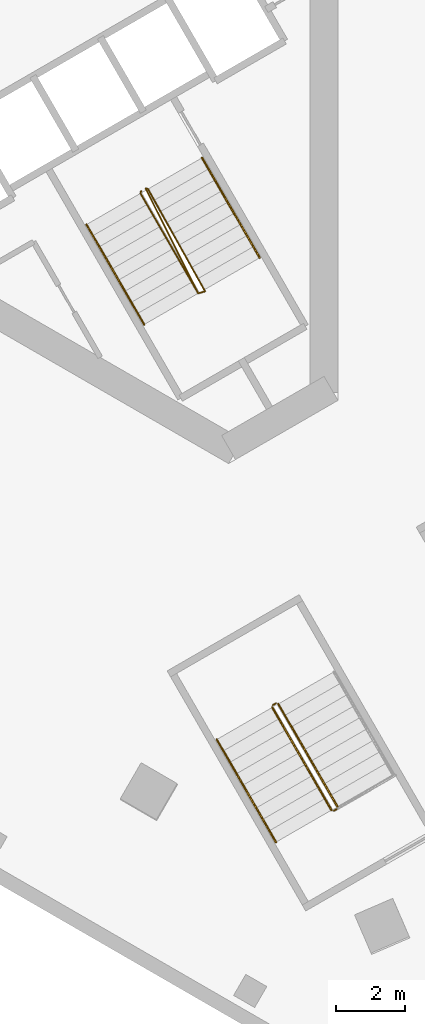
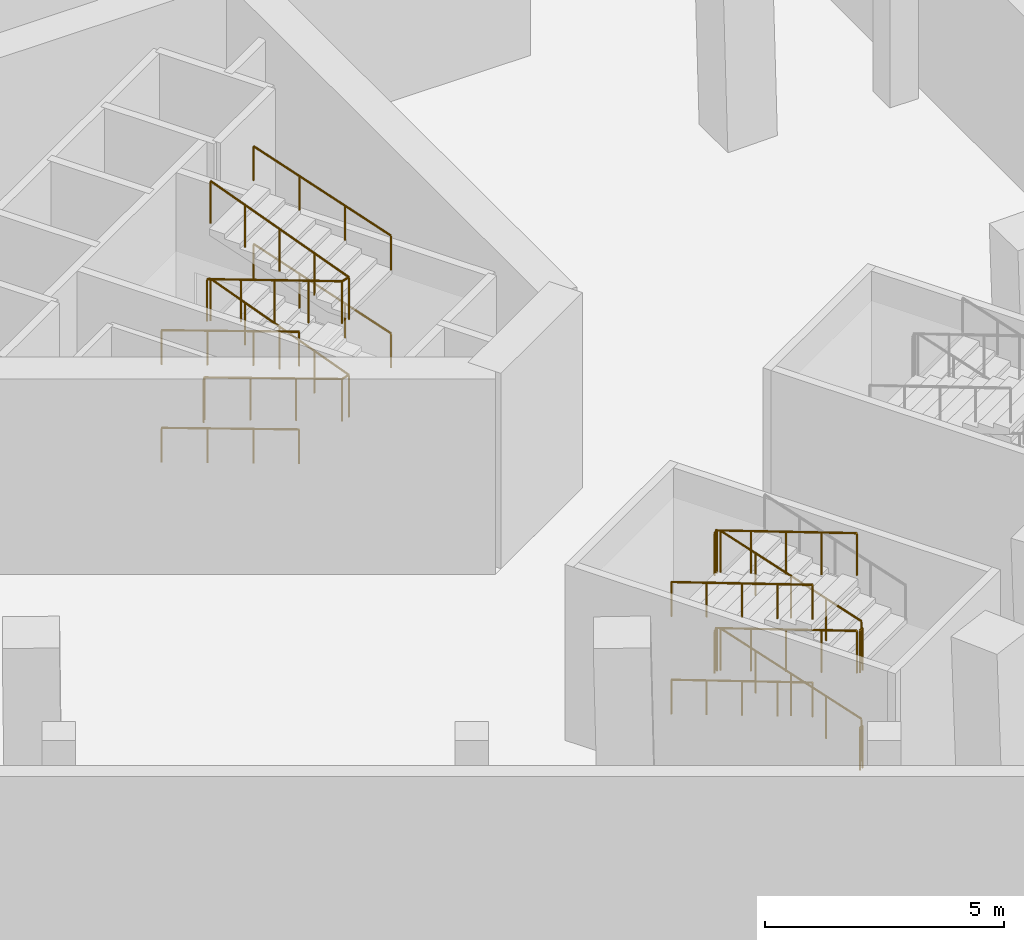
# One storey, part 22 of 36: 15 railings.
"""IFC4 building model written with IfcOpenShell, lengths in metres."""

from ifc_helpers import new_model, si_unit, direction, frame, origin, origin_2d, place, context, subcontext, project, spatial, circle, extrude, material, type_object, element, save


model = new_model("IFC4")

# Units and contexts
model_context = context("Model", 3, precision=1e-05, world=origin(), true_north=direction((0.0, 1.0)))
body_context = subcontext(model_context, "Body", "Model", "MODEL_VIEW")
ifc_project = project(units=[si_unit("LENGTHUNIT", "METRE"), si_unit("AREAUNIT", "SQUARE_METRE"), si_unit("VOLUMEUNIT", "CUBIC_METRE"), si_unit("PLANEANGLEUNIT", "RADIAN"), si_unit("MASSUNIT", "GRAM", prefix="KILO")], contexts=[model_context])

# Site, building, storey
site_placement = place(None, origin())
site = spatial("IfcSite", under=ifc_project, at=site_placement, CompositionType="ELEMENT")
building_placement = place(site_placement, origin())
building = spatial("IfcBuilding", under=site, at=building_placement, Name="Jabali Bay Hotel Tower and Convention Centre", CompositionType="ELEMENT")
storey_placement = place(building_placement, frame((0.0, 0.0, 20.39990234375)))
storey = spatial("IfcBuildingStorey", under=building, at=storey_placement, Name="L03", CompositionType="ELEMENT", Elevation=20.39990234375)

# Railings
ifc_material = material(Name="Steel Q355B", Category="steel")
railing_type_1 = type_object("IfcRailingType", Name="Stair guard 1100", PredefinedType="GUARDRAIL", material=ifc_material)
railing_1_placement = place(storey_placement, frame((84.199951171875, 63.9150390625, 0.0)))
element("IfcRailing", 1, at=railing_1_placement, inside=storey, type_object=railing_type_1, Name="L03 ST3 stair guard 1", PredefinedType="GUARDRAIL", context=body_context, shape_type="SweptSolid", body=[
    extrude(circle(Radius=0.02392578125, at=origin_2d()), frame((0.0, 0.0, 1.076171875), z_axis=(-0.127472697635, -0.475898071169, 0.870213615852), x_axis=(0.965948051503, -0.258736085224, 0.0)), (0.0, 0.0, 1.0), 0.1435546875),
    extrude(circle(Radius=0.02392578125, at=origin_2d()), frame((-0.018310546875, -0.068359375, 1.201171875), z_axis=(0.473714601276, -0.820457019102, 0.320069924147), x_axis=(0.866014653411, 0.500018619731, 0.0)), (0.0, 0.0, 1.0), 3.514892578125),
    extrude(circle(Radius=0.02392578125, at=origin_2d()), frame((1.646728515625, -2.9521484375, 2.326171875), z_axis=(0.961523947641, 0.274721127897, 0.0), x_axis=(-0.274721127897, 0.961523947641, 0.0)), (0.0, 0.0, 1.0), 0.2060546875),
    extrude(circle(Radius=0.02392578125, at=origin_2d()), frame((1.844970703125, -2.8955078125, 2.326171875), z_axis=(-0.456906715079, 0.819112824127, 0.346829115079), x_axis=(-0.873321331712, -0.48714459001, 0.0)), (0.0, 0.0, 1.0), 3.60400390625),
    extrude(circle(Radius=0.02392578125, at=origin_2d()), frame((0.1982421875, 0.056640625, 3.576171875), z_axis=(-0.965948051503, 0.258736085224, 0.0), x_axis=(-0.258736085224, -0.965948051503, 0.0)), (0.0, 0.0, 1.0), 0.07080078125),
    extrude(circle(Radius=0.02392578125, at=origin_2d()), frame((0.1298828125, 0.074951171875, 3.576171875), z_axis=(0.420266704409, -0.838707044579, 0.346332774276), x_axis=(0.894037481687, 0.447992166604, 0.0)), (0.0, 0.0, 1.0), 3.609130859375),
    extrude(circle(Radius=0.02392578125, at=origin_2d()), frame((1.646728515625, -2.9521484375, 4.826171875), z_axis=(0.961523947641, 0.274721127897, 0.0), x_axis=(-0.274721127897, 0.961523947641, 0.0)), (0.0, 0.0, 1.0), 0.2060546875),
    extrude(circle(Radius=0.02392578125, at=origin_2d()), frame((1.844970703125, -2.8955078125, 4.826171875), z_axis=(-0.456906715079, 0.819112824127, 0.346829115079), x_axis=(-0.873321331712, -0.48714459001, 0.0)), (0.0, 0.0, 1.0), 3.60400390625),
    extrude(circle(Radius=0.02099609375, at=origin_2d()), origin(), (0.0, 0.0, 1.0), 1.052001953125),
    extrude(circle(Radius=0.02099609375, at=origin_2d()), frame((-0.018310546875, -0.068359375, 0.125)), (0.0, 0.0, 1.0), 1.052001953125),
    extrude(circle(Radius=0.02099609375, at=origin_2d()), frame((0.53662109375, -1.029541015625, 0.5)), (0.0, 0.0, 1.0), 1.052001953125),
    extrude(circle(Radius=0.02099609375, at=origin_2d()), frame((1.091796875, -1.990966796875, 0.875)), (0.0, 0.0, 1.0), 1.052001953125),
    extrude(circle(Radius=0.02099609375, at=origin_2d()), frame((1.646728515625, -2.9521484375, 1.25)), (0.0, 0.0, 1.0), 1.052001953125),
    extrude(circle(Radius=0.02099609375, at=origin_2d()), frame((1.844970703125, -2.8955078125, 1.25)), (0.0, 0.0, 1.0), 1.052001953125),
    extrude(circle(Radius=0.02099609375, at=origin_2d()), frame((1.433349609375, -2.157470703125, 1.5625)), (0.0, 0.0, 1.0), 1.052001953125),
    extrude(circle(Radius=0.02099609375, at=origin_2d()), frame((1.021484375, -1.41943359375, 1.875)), (0.0, 0.0, 1.0), 1.052001953125),
    extrude(circle(Radius=0.02099609375, at=origin_2d()), frame((0.60986328125, -0.681396484375, 2.1875)), (0.0, 0.0, 1.0), 1.052001953125),
    extrude(circle(Radius=0.02099609375, at=origin_2d()), frame((0.1982421875, 0.056640625, 2.5)), (0.0, 0.0, 1.0), 1.052001953125),
    extrude(circle(Radius=0.02099609375, at=origin_2d()), frame((0.1298828125, 0.074951171875, 2.5)), (0.0, 0.0, 1.0), 1.052001953125),
    extrude(circle(Radius=0.02099609375, at=origin_2d()), frame((0.509033203125, -0.681884765625, 2.8125)), (0.0, 0.0, 1.0), 1.052001953125),
    extrude(circle(Radius=0.02099609375, at=origin_2d()), frame((0.88818359375, -1.4384765625, 3.125)), (0.0, 0.0, 1.0), 1.052001953125),
    extrude(circle(Radius=0.02099609375, at=origin_2d()), frame((1.267578125, -2.1953125, 3.4375)), (0.0, 0.0, 1.0), 1.052001953125),
    extrude(circle(Radius=0.02099609375, at=origin_2d()), frame((1.646728515625, -2.9521484375, 3.75)), (0.0, 0.0, 1.0), 1.052001953125),
    extrude(circle(Radius=0.02099609375, at=origin_2d()), frame((1.844970703125, -2.8955078125, 3.75)), (0.0, 0.0, 1.0), 1.052001953125),
    extrude(circle(Radius=0.02099609375, at=origin_2d()), frame((1.433349609375, -2.157470703125, 4.0625)), (0.0, 0.0, 1.0), 1.052001953125),
    extrude(circle(Radius=0.02099609375, at=origin_2d()), frame((1.021484375, -1.41943359375, 4.375)), (0.0, 0.0, 1.0), 1.052001953125),
    extrude(circle(Radius=0.02099609375, at=origin_2d()), frame((0.60986328125, -0.681396484375, 4.6875)), (0.0, 0.0, 1.0), 1.052001953125),
    extrude(circle(Radius=0.02099609375, at=origin_2d()), frame((0.1982421875, 0.056640625, 5.0)), (0.0, 0.0, 1.0), 1.052001953125),
])
railing_2_placement = place(storey_placement, frame((89.86767578125, 46.148681640625, 0.125)))
element("IfcRailing", 2, at=railing_2_placement, inside=storey, type_object=railing_type_1, Name="L03 PS6 stair guard 1", PredefinedType="GUARDRAIL", context=body_context, shape_type="SweptSolid", body=[
    extrude(circle(Radius=0.02392578125, at=origin_2d()), frame((0.0, 0.0, 1.076171875), z_axis=(-0.474969356874, 0.822651808715, 0.312486978366), x_axis=(-0.866020337685, -0.500008774639, 0.0)), (0.0, 0.0, 1.0), 3.60009765625),
    extrude(circle(Radius=0.02099609375, at=origin_2d()), origin(), (0.0, 0.0, 1.0), 1.052001953125),
    extrude(circle(Radius=0.02099609375, at=origin_2d()), frame((-0.427490234375, 0.740478515625, 0.28125)), (0.0, 0.0, 1.0), 1.052001953125),
    extrude(circle(Radius=0.02099609375, at=origin_2d()), frame((-0.85498046875, 1.48095703125, 0.5625)), (0.0, 0.0, 1.0), 1.052001953125),
    extrude(circle(Radius=0.02099609375, at=origin_2d()), frame((-1.282470703125, 2.22119140625, 0.84375)), (0.0, 0.0, 1.0), 1.052001953125),
    extrude(circle(Radius=0.02099609375, at=origin_2d()), frame((-1.7099609375, 2.961669921875, 1.125)), (0.0, 0.0, 1.0), 1.052001953125),
])
railing_3_placement = place(storey_placement, frame((88.08935546875, 49.128662109375, 1.25)))
element("IfcRailing", 3, at=railing_3_placement, inside=storey, type_object=railing_type_1, Name="L03 PS6 stair guard 2", PredefinedType="GUARDRAIL", context=body_context, shape_type="SweptSolid", body=[
    extrude(circle(Radius=0.02392578125, at=origin_2d()), frame((0.0, 0.0, 1.076171875), z_axis=(-0.865982457891, -0.500074377092, 0.0), x_axis=(0.500074377092, -0.865982457891, 0.0)), (0.0, 0.0, 1.0), 0.10009765625),
    extrude(circle(Radius=0.02099609375, at=origin_2d()), origin(), (0.0, 0.0, 1.0), 1.052001953125),
    extrude(circle(Radius=0.02099609375, at=origin_2d()), frame((-0.086669921875, -0.050048828125, 0.0)), (0.0, 0.0, 1.0), 1.052001953125),
])
railing_4_placement = place(storey_placement, frame((87.984375, 49.01025390625, 1.375)))
element("IfcRailing", 4, at=railing_4_placement, inside=storey, type_object=railing_type_1, Name="L03 PS6 stair guard 3", PredefinedType="GUARDRAIL", context=body_context, shape_type="SweptSolid", body=[
    extrude(circle(Radius=0.02392578125, at=origin_2d()), frame((0.0, 0.0, 1.076171875), z_axis=(0.474969356874, -0.822651808715, 0.312486978366), x_axis=(0.866020337685, 0.500008774639, 0.0)), (0.0, 0.0, 1.0), 3.60009765625),
    extrude(circle(Radius=0.02099609375, at=origin_2d()), origin(), (0.0, 0.0, 1.0), 1.052001953125),
    extrude(circle(Radius=0.02099609375, at=origin_2d()), frame((0.427490234375, -0.740478515625, 0.28125)), (0.0, 0.0, 1.0), 1.052001953125),
    extrude(circle(Radius=0.02099609375, at=origin_2d()), frame((0.85498046875, -1.48095703125, 0.5625)), (0.0, 0.0, 1.0), 1.052001953125),
    extrude(circle(Radius=0.02099609375, at=origin_2d()), frame((1.282470703125, -2.22119140625, 0.84375)), (0.0, 0.0, 1.0), 1.052001953125),
    extrude(circle(Radius=0.02099609375, at=origin_2d()), frame((1.7099609375, -2.961669921875, 1.125)), (0.0, 0.0, 1.0), 1.052001953125),
])
railing_5_placement = place(storey_placement, frame((89.849365234375, 46.080322265625, 2.5)))
element("IfcRailing", 5, at=railing_5_placement, inside=storey, type_object=railing_type_1, Name="L03 PS6 stair guard 4", PredefinedType="GUARDRAIL", context=body_context, shape_type="SweptSolid", body=[
    extrude(circle(Radius=0.02392578125, at=origin_2d()), frame((0.0, 0.0, 1.076171875), z_axis=(-0.865982457891, -0.500074377092, 0.0), x_axis=(0.500074377092, -0.865982457891, 0.0)), (0.0, 0.0, 1.0), 0.10009765625),
    extrude(circle(Radius=0.02099609375, at=origin_2d()), origin(), (0.0, 0.0, 1.0), 1.052001953125),
    extrude(circle(Radius=0.02099609375, at=origin_2d()), frame((-0.086669921875, -0.050048828125, 0.0)), (0.0, 0.0, 1.0), 1.052001953125),
])
railing_6_placement = place(storey_placement, frame((89.86767578125, 46.148681640625, 2.625)))
element("IfcRailing", 6, at=railing_6_placement, inside=storey, type_object=railing_type_1, Name="L03 PS6 stair guard 5", PredefinedType="GUARDRAIL", context=body_context, shape_type="SweptSolid", body=[
    extrude(circle(Radius=0.02392578125, at=origin_2d()), frame((0.0, 0.0, 1.076171875), z_axis=(-0.474969356874, 0.822651808715, 0.312486978366), x_axis=(-0.866020337685, -0.500008774639, 0.0)), (0.0, 0.0, 1.0), 3.60009765625),
    extrude(circle(Radius=0.02099609375, at=origin_2d()), origin(), (0.0, 0.0, 1.0), 1.052001953125),
    extrude(circle(Radius=0.02099609375, at=origin_2d()), frame((-0.427490234375, 0.740478515625, 0.28125)), (0.0, 0.0, 1.0), 1.052001953125),
    extrude(circle(Radius=0.02099609375, at=origin_2d()), frame((-0.85498046875, 1.48095703125, 0.5625)), (0.0, 0.0, 1.0), 1.052001953125),
    extrude(circle(Radius=0.02099609375, at=origin_2d()), frame((-1.282470703125, 2.22119140625, 0.84375)), (0.0, 0.0, 1.0), 1.052001953125),
    extrude(circle(Radius=0.02099609375, at=origin_2d()), frame((-1.7099609375, 2.961669921875, 1.125)), (0.0, 0.0, 1.0), 1.052001953125),
])
railing_7_placement = place(storey_placement, frame((88.08935546875, 49.128662109375, 3.75)))
element("IfcRailing", 7, at=railing_7_placement, inside=storey, type_object=railing_type_1, Name="L03 PS6 stair guard 6", PredefinedType="GUARDRAIL", context=body_context, shape_type="SweptSolid", body=[
    extrude(circle(Radius=0.02392578125, at=origin_2d()), frame((0.0, 0.0, 1.076171875), z_axis=(-0.865982457891, -0.500074377092, 0.0), x_axis=(0.500074377092, -0.865982457891, 0.0)), (0.0, 0.0, 1.0), 0.10009765625),
    extrude(circle(Radius=0.02099609375, at=origin_2d()), origin(), (0.0, 0.0, 1.0), 1.052001953125),
    extrude(circle(Radius=0.02099609375, at=origin_2d()), frame((-0.086669921875, -0.050048828125, 0.0)), (0.0, 0.0, 1.0), 1.052001953125),
])
railing_8_placement = place(storey_placement, frame((87.984375, 49.01025390625, 3.875)))
element("IfcRailing", 8, at=railing_8_placement, inside=storey, type_object=railing_type_1, Name="L03 PS6 stair guard 7", PredefinedType="GUARDRAIL", context=body_context, shape_type="SweptSolid", body=[
    extrude(circle(Radius=0.02392578125, at=origin_2d()), frame((0.0, 0.0, 1.076171875), z_axis=(0.474969356874, -0.822651808715, 0.312486978366), x_axis=(0.866020337685, 0.500008774639, 0.0)), (0.0, 0.0, 1.0), 3.60009765625),
    extrude(circle(Radius=0.02099609375, at=origin_2d()), origin(), (0.0, 0.0, 1.0), 1.052001953125),
    extrude(circle(Radius=0.02099609375, at=origin_2d()), frame((0.427490234375, -0.740478515625, 0.28125)), (0.0, 0.0, 1.0), 1.052001953125),
    extrude(circle(Radius=0.02099609375, at=origin_2d()), frame((0.85498046875, -1.48095703125, 0.5625)), (0.0, 0.0, 1.0), 1.052001953125),
    extrude(circle(Radius=0.02099609375, at=origin_2d()), frame((1.282470703125, -2.22119140625, 0.84375)), (0.0, 0.0, 1.0), 1.052001953125),
    extrude(circle(Radius=0.02099609375, at=origin_2d()), frame((1.7099609375, -2.961669921875, 1.125)), (0.0, 0.0, 1.0), 1.052001953125),
])
railing_9_placement = place(storey_placement, frame((89.849365234375, 46.080322265625, 0.0)))
element("IfcRailing", 9, at=railing_9_placement, inside=storey, type_object=railing_type_1, Name="L03 PS6 stair guard 8", PredefinedType="GUARDRAIL", context=body_context, shape_type="SweptSolid", body=[
    extrude(circle(Radius=0.02392578125, at=origin_2d()), frame((0.0, 0.0, 1.076171875), z_axis=(-0.865982457891, -0.500074377092, 0.0), x_axis=(0.500074377092, -0.865982457891, 0.0)), (0.0, 0.0, 1.0), 0.10009765625),
    extrude(circle(Radius=0.02099609375, at=origin_2d()), origin(), (0.0, 0.0, 1.0), 1.052001953125),
    extrude(circle(Radius=0.02099609375, at=origin_2d()), frame((-0.086669921875, -0.050048828125, 0.0)), (0.0, 0.0, 1.0), 1.052001953125),
])
railing_type_2 = type_object("IfcRailingType", Name="Stair handrail 900", PredefinedType="HANDRAIL", material=ifc_material)
railing_10_placement = place(storey_placement, frame((82.622802734375, 62.94677734375, 0.125)))
element("IfcRailing", 10, at=railing_10_placement, inside=storey, type_object=railing_type_2, Name="L03 ST3 stair handrail 1", PredefinedType="HANDRAIL", context=body_context, shape_type="SweptSolid", body=[
    extrude(circle(Radius=0.02392578125, at=origin_2d()), frame((0.0, 0.0, 0.8759765625), z_axis=(0.473714601276, -0.820457019102, 0.320069924147), x_axis=(0.866014653411, 0.500018619731, 0.0)), (0.0, 0.0, 1.0), 3.514892578125),
    extrude(circle(Radius=0.02099609375, at=origin_2d()), origin(), (0.0, 0.0, 1.0), 0.851806640625),
    extrude(circle(Radius=0.02099609375, at=origin_2d()), frame((0.554931640625, -0.961181640625, 0.375)), (0.0, 0.0, 1.0), 0.851806640625),
    extrude(circle(Radius=0.02099609375, at=origin_2d()), frame((1.110107421875, -1.922607421875, 0.75)), (0.0, 0.0, 1.0), 0.851806640625),
    extrude(circle(Radius=0.02099609375, at=origin_2d()), frame((1.6650390625, -2.8837890625, 1.125)), (0.0, 0.0, 1.0), 0.851806640625),
])
railing_11_placement = place(storey_placement, frame((87.6220703125, 61.98779296875, 1.375)))
element("IfcRailing", 11, at=railing_11_placement, inside=storey, type_object=railing_type_2, Name="L03 ST3 stair handrail 2", PredefinedType="HANDRAIL", context=body_context, shape_type="SweptSolid", body=[
    extrude(circle(Radius=0.02392578125, at=origin_2d()), frame((0.0, 0.0, 0.8759765625), z_axis=(-0.473687606094, 0.820479720058, 0.320051684587), x_axis=(-0.866032982159, -0.499986873641, 0.0)), (0.0, 0.0, 1.0), 3.51513671875),
    extrude(circle(Radius=0.02099609375, at=origin_2d()), origin(), (0.0, 0.0, 1.0), 0.851806640625),
    extrude(circle(Radius=0.02099609375, at=origin_2d()), frame((-0.554931640625, 0.96142578125, 0.375)), (0.0, 0.0, 1.0), 0.851806640625),
    extrude(circle(Radius=0.02099609375, at=origin_2d()), frame((-1.110107421875, 1.922607421875, 0.75)), (0.0, 0.0, 1.0), 0.851806640625),
    extrude(circle(Radius=0.02099609375, at=origin_2d()), frame((-1.6650390625, 2.884033203125, 1.125)), (0.0, 0.0, 1.0), 0.851806640625),
])
railing_12_placement = place(storey_placement, frame((82.622802734375, 62.94677734375, 2.625)))
element("IfcRailing", 12, at=railing_12_placement, inside=storey, type_object=railing_type_2, Name="L03 ST3 stair handrail 3", PredefinedType="HANDRAIL", context=body_context, shape_type="SweptSolid", body=[
    extrude(circle(Radius=0.02392578125, at=origin_2d()), frame((0.0, 0.0, 0.8759765625), z_axis=(0.473714601276, -0.820457019102, 0.320069924147), x_axis=(0.866014653411, 0.500018619731, 0.0)), (0.0, 0.0, 1.0), 3.514892578125),
    extrude(circle(Radius=0.02099609375, at=origin_2d()), origin(), (0.0, 0.0, 1.0), 0.851806640625),
    extrude(circle(Radius=0.02099609375, at=origin_2d()), frame((0.554931640625, -0.961181640625, 0.375)), (0.0, 0.0, 1.0), 0.851806640625),
    extrude(circle(Radius=0.02099609375, at=origin_2d()), frame((1.110107421875, -1.922607421875, 0.75)), (0.0, 0.0, 1.0), 0.851806640625),
    extrude(circle(Radius=0.02099609375, at=origin_2d()), frame((1.6650390625, -2.8837890625, 1.125)), (0.0, 0.0, 1.0), 0.851806640625),
])
railing_13_placement = place(storey_placement, frame((87.6220703125, 61.98779296875, 3.875)))
element("IfcRailing", 13, at=railing_13_placement, inside=storey, type_object=railing_type_2, Name="L03 ST3 stair handrail 4", PredefinedType="HANDRAIL", context=body_context, shape_type="SweptSolid", body=[
    extrude(circle(Radius=0.02392578125, at=origin_2d()), frame((0.0, 0.0, 0.8759765625), z_axis=(-0.473687606094, 0.820479720058, 0.320051684587), x_axis=(-0.866032982159, -0.499986873641, 0.0)), (0.0, 0.0, 1.0), 3.51513671875),
    extrude(circle(Radius=0.02099609375, at=origin_2d()), origin(), (0.0, 0.0, 1.0), 0.851806640625),
    extrude(circle(Radius=0.02099609375, at=origin_2d()), frame((-0.554931640625, 0.96142578125, 0.375)), (0.0, 0.0, 1.0), 0.851806640625),
    extrude(circle(Radius=0.02099609375, at=origin_2d()), frame((-1.110107421875, 1.922607421875, 0.75)), (0.0, 0.0, 1.0), 0.851806640625),
    extrude(circle(Radius=0.02099609375, at=origin_2d()), frame((-1.6650390625, 2.884033203125, 1.125)), (0.0, 0.0, 1.0), 0.851806640625),
])
for number, where, name in (
    (14, (86.38232421875, 48.08544921875, 1.375), "L03 PS6 stair handrail 2"),
    (15, (86.38232421875, 48.08544921875, 3.875), "L03 PS6 stair handrail 4"),
):
    element("IfcRailing", number, at=place(storey_placement, frame(where)), inside=storey, type_object=railing_type_2, Name=name, PredefinedType="HANDRAIL", context=body_context, shape_type="SweptSolid", body=[
        extrude(circle(Radius=0.02392578125, at=origin_2d()), frame((0.0, 0.0, 0.8759765625), z_axis=(0.474942860731, -0.822673727354, 0.312469546295), x_axis=(0.866038183914, 0.499977863513, 0.0)), (0.0, 0.0, 1.0), 3.600341796875),
        extrude(circle(Radius=0.02099609375, at=origin_2d()), origin(), (0.0, 0.0, 1.0), 0.851806640625),
        extrude(circle(Radius=0.02099609375, at=origin_2d()), frame((0.427490234375, -0.740478515625, 0.28125)), (0.0, 0.0, 1.0), 0.851806640625),
        extrude(circle(Radius=0.02099609375, at=origin_2d()), frame((0.85498046875, -1.48095703125, 0.5625)), (0.0, 0.0, 1.0), 0.851806640625),
        extrude(circle(Radius=0.02099609375, at=origin_2d()), frame((1.282470703125, -2.221435546875, 0.84375)), (0.0, 0.0, 1.0), 0.851806640625),
        extrude(circle(Radius=0.02099609375, at=origin_2d()), frame((1.7099609375, -2.9619140625, 1.125)), (0.0, 0.0, 1.0), 0.851806640625),
    ])

save(model, "model.ifc")
